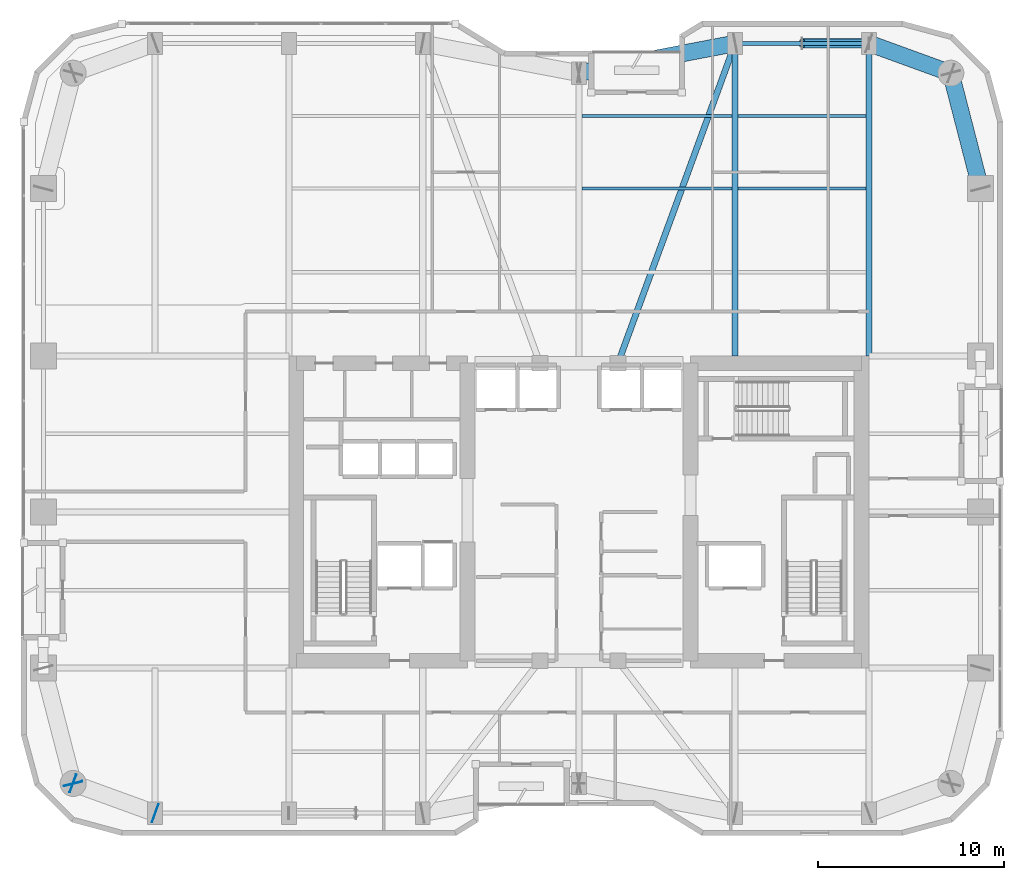
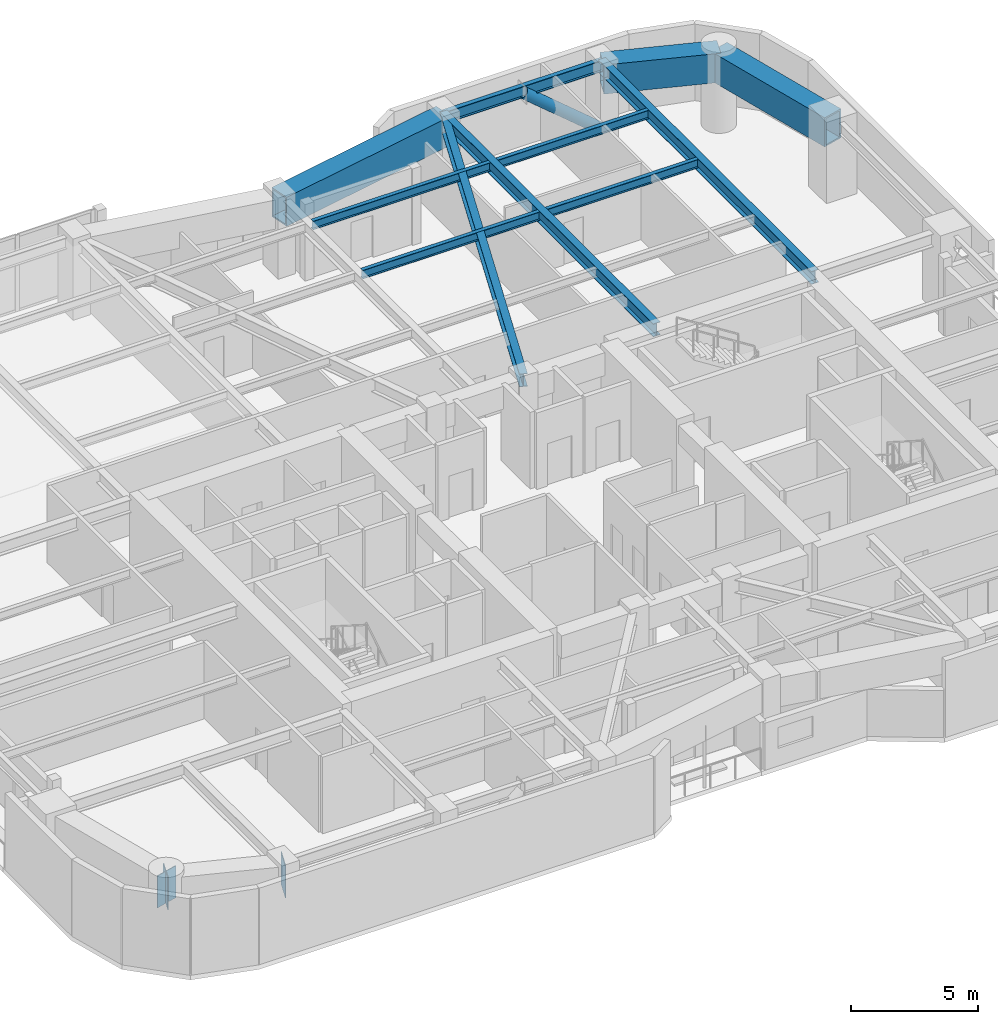
# One storey, part 20 of 31: 11 beams, 3 plates, 1 member.
"""IFC4 building model written with IfcOpenShell, lengths in metres."""

from ifc_helpers import new_model, si_unit, direction, frame, origin, origin_2d, place, context, subcontext, project, spatial, rectangle, hollow_rectangle, hollow_circle, i_section, extrude, material, layer, layer_set, material_profile, profile_set, type_object, element, save


model = new_model("IFC4")

# Units and contexts
model_context = context("Model", 3, precision=1e-05, world=origin(), true_north=direction((0.0, 1.0)))
body_context = subcontext(model_context, "Body", "Model", "MODEL_VIEW")
ifc_project = project(units=[si_unit("LENGTHUNIT", "METRE"), si_unit("AREAUNIT", "SQUARE_METRE"), si_unit("VOLUMEUNIT", "CUBIC_METRE"), si_unit("PLANEANGLEUNIT", "RADIAN"), si_unit("MASSUNIT", "GRAM", prefix="KILO")], contexts=[model_context])

# Site, building, storey
site_placement = place(None, origin())
site = spatial("IfcSite", under=ifc_project, at=site_placement, CompositionType="ELEMENT")
building_placement = place(site_placement, origin())
building = spatial("IfcBuilding", under=site, at=building_placement, Name="Kiyonajd Concourse Tower", CompositionType="ELEMENT")
storey_placement = place(building_placement, frame((0.0, 0.0, 158.39990234375)))
storey = spatial("IfcBuildingStorey", under=building, at=storey_placement, Name="L40", CompositionType="ELEMENT", Elevation=158.39990234375)

# Beams
ifc_material_1 = material(Name="Steel ASTM A992 Grade 50", Category="steel")
ifc_material_profile_1 = material_profile(ifc_material_1, i_section(OverallWidth=0.180908203125, OverallDepth=0.4169921875, WebThickness=0.010986328125, FlangeThickness=0.018310546875, at=origin_2d()), Name="W410X85")
ifc_profile_set_1 = profile_set([ifc_material_profile_1], Name="Steel ASTM A992 Grade 50")
beam_type_1 = type_object("IfcBeamType", Name="BM-JST-410", PredefinedType="JOIST", material=ifc_profile_set_1)
beam_1_placement = place(storey_placement, frame((48.16357421875, 53.39990234375, 3.4716796875), z_axis=(1.0, 0.0, 0.0), x_axis=(0.0, 1.0, 0.0)))
element("IfcBeam", 1, at=beam_1_placement, inside=storey, type_object=beam_type_1, Name="L40 Secondary Floor Joist", PredefinedType="JOIST", context=body_context, shape_type="SweptSolid", body=[
    extrude(i_section(OverallWidth=0.180908203125, OverallDepth=0.4169921875, WebThickness=0.010986328125, FlangeThickness=0.018310546875, at=origin_2d()), origin(), (0.0, 0.0, 1.0), 8.072998046875),
])
beam_2_placement = place(storey_placement, frame((56.5634765625, 53.39990234375, 3.4716796875), z_axis=(1.0, 0.0, 0.0), x_axis=(0.0, 1.0, 0.0)))
element("IfcBeam", 2, at=beam_2_placement, inside=storey, type_object=beam_type_1, Name="L40 Secondary Floor Joist", PredefinedType="JOIST", context=body_context, shape_type="SweptSolid", body=[
    extrude(i_section(OverallWidth=0.180908203125, OverallDepth=0.4169921875, WebThickness=0.010986328125, FlangeThickness=0.018310546875, at=origin_2d()), origin(), (0.0, 0.0, 1.0), 6.873046875),
])
beam_3_placement = place(storey_placement, frame((48.16357421875, 57.300048828125, 3.4716796875), z_axis=(1.0, 0.0, 0.0), x_axis=(0.0, 1.0, 0.0)))
element("IfcBeam", 3, at=beam_3_placement, inside=storey, type_object=beam_type_1, Name="L40 Secondary Floor Joist", PredefinedType="JOIST", context=body_context, shape_type="SweptSolid", body=[
    extrude(i_section(OverallWidth=0.180908203125, OverallDepth=0.4169921875, WebThickness=0.010986328125, FlangeThickness=0.018310546875, at=origin_2d()), origin(), (0.0, 0.0, 1.0), 8.072998046875),
])
beam_4_placement = place(storey_placement, frame((56.5634765625, 57.300048828125, 3.4716796875), z_axis=(1.0, 0.0, 0.0), x_axis=(0.0, 1.0, 0.0)))
element("IfcBeam", 4, at=beam_4_placement, inside=storey, type_object=beam_type_1, Name="L40 Secondary Floor Joist", PredefinedType="JOIST", context=body_context, shape_type="SweptSolid", body=[
    extrude(i_section(OverallWidth=0.180908203125, OverallDepth=0.4169921875, WebThickness=0.010986328125, FlangeThickness=0.018310546875, at=origin_2d()), origin(), (0.0, 0.0, 1.0), 6.873046875),
])
ifc_material_profile_2 = material_profile(ifc_material_1, i_section(OverallWidth=0.214111328125, OverallDepth=0.549072265625, WebThickness=0.0146484375, FlangeThickness=0.023681640625, at=origin_2d()), Name="W530X138")
ifc_profile_set_2 = profile_set([ifc_material_profile_2], Name="Steel ASTM A992 Grade 50")
beam_type_2 = type_object("IfcBeamType", Name="BM-SPAN-530A", PredefinedType="SPANDREL", material=ifc_profile_set_2)
beam_5_placement = place(storey_placement, frame((63.60009765625, 61.199951171875, 3.405517578125), z_axis=(-1.0, 0.0, 0.0), x_axis=(0.0, -1.0, 0.0)))
element("IfcBeam", 5, at=beam_5_placement, inside=storey, type_object=beam_type_2, Name="L40 Perimeter Bundled Tube Spandrel", PredefinedType="SPANDREL", context=body_context, shape_type="SweptSolid", body=[
    extrude(i_section(OverallWidth=0.214111328125, OverallDepth=0.549072265625, WebThickness=0.0146484375, FlangeThickness=0.023681640625, at=origin_2d()), origin(), (0.0, 0.0, 1.0), 7.2001953125),
])
ifc_material_profile_3 = material_profile(ifc_material_1, i_section(OverallWidth=0.326904296875, OverallDepth=0.6220703125, WebThickness=0.015380859375, FlangeThickness=0.0244140625, at=origin_2d()), Name="W610X195")
ifc_profile_set_3 = profile_set([ifc_material_profile_3], Name="Steel ASTM A992 Grade 50")
beam_type_3 = type_object("IfcBeamType", Name="BM-TWR-610A", PredefinedType="BEAM", material=ifc_profile_set_3)
beam_6_placement = place(storey_placement, frame((50.10009765625, 44.0, 3.369140625), z_axis=(0.343925269715, 0.938997022813, 0.0), x_axis=(-0.938997022813, 0.343925269715, 0.0)))
element("IfcBeam", 6, at=beam_6_placement, inside=storey, type_object=beam_type_3, Name="L40 Core Tie Girder", PredefinedType="BEAM", context=body_context, shape_type="SweptSolid", body=[
    extrude(i_section(OverallWidth=0.326904296875, OverallDepth=0.6220703125, WebThickness=0.015380859375, FlangeThickness=0.0244140625, at=origin_2d()), origin(), (0.0, 0.0, 1.0), 18.3173828125),
])
for number, where, z_axis, x_axis, name in (
    (7, (56.39990234375, 44.39990234375, 3.369140625), (0.0, 1.0, 0.0), (-1.0, 0.0, 0.0), "L40 North Lease Girder"),
    (8, (63.60009765625, 44.39990234375, 3.369140625), (0.0, 1.0, 0.0), (-1.0, 0.0, 0.0), "L40 North Lease Girder"),
):
    element("IfcBeam", number, at=place(storey_placement, frame(where, z_axis=z_axis, x_axis=x_axis)), inside=storey, type_object=beam_type_3, Name=name, PredefinedType="BEAM", context=body_context, shape_type="SweptSolid", body=[
        extrude(i_section(OverallWidth=0.326904296875, OverallDepth=0.6220703125, WebThickness=0.015380859375, FlangeThickness=0.0244140625, at=origin_2d()), origin(), (0.0, 0.0, 1.0), 16.800048828125),
    ])
ifc_material_2 = material(Name="Steel ASTM A572 Grade 50", Category="steel")
ifc_material_profile_4 = material_profile(ifc_material_2, hollow_rectangle(XDim=0.89990234375, YDim=1.39990234375, WallThickness=0.070068359375, at=origin_2d()), Name="BOX-1400x900x70")
ifc_profile_set_4 = profile_set([ifc_material_profile_4], Name="Steel ASTM A572 Grade 50")
beam_type_4 = type_object("IfcBeamType", Name="BM-XFER-1400", PredefinedType="BEAM", material=ifc_profile_set_4)
beam_7_placement = place(storey_placement, frame((69.60009765625, 53.39990234375, 2.97998046875), z_axis=(-0.249884937687, 0.968275538221, 0.0), x_axis=(-0.968275538221, -0.249884937687, 0.0)))
element("IfcBeam", 9, at=beam_7_placement, inside=storey, type_object=beam_type_4, Name="L40 Perimeter Bundled Tube Spandrel", PredefinedType="BEAM", context=body_context, shape_type="SweptSolid", body=[
    extrude(hollow_rectangle(XDim=0.89990234375, YDim=1.39990234375, WallThickness=0.070068359375, at=origin_2d()), origin(), (0.0, 0.0, 1.0), 6.4033203125),
])
beam_8_placement = place(storey_placement, frame((68.0, 59.60009765625, 2.97998046875), z_axis=(-0.939801036019, 0.341722127901, 0.0), x_axis=(-0.341722127901, -0.939801036019, 0.0)))
element("IfcBeam", 10, at=beam_8_placement, inside=storey, type_object=beam_type_4, Name="L40 Perimeter Bundled Tube Spandrel", PredefinedType="BEAM", context=body_context, shape_type="SweptSolid", body=[
    extrude(hollow_rectangle(XDim=0.89990234375, YDim=1.39990234375, WallThickness=0.070068359375, at=origin_2d()), origin(), (0.0, 0.0, 1.0), 4.681640625),
])
beam_9_placement = place(storey_placement, frame((56.39990234375, 61.199951171875, 2.97998046875), z_axis=(-0.982341315253, -0.187097675953, 0.0), x_axis=(0.187097675953, -0.982341315253, 0.0)))
element("IfcBeam", 11, at=beam_9_placement, inside=storey, type_object=beam_type_4, Name="L40 Perimeter Bundled Tube Spandrel", PredefinedType="BEAM", context=body_context, shape_type="SweptSolid", body=[
    extrude(hollow_rectangle(XDim=0.89990234375, YDim=1.39990234375, WallThickness=0.070068359375, at=origin_2d()), origin(), (0.0, 0.0, 1.0), 8.55078125),
])

# Member
ifc_material_3 = material(Name="Steel ASTM A500 Grade C", Category="steel")
ifc_material_profile_5 = material_profile(ifc_material_3, hollow_circle(Radius=0.25390625, WallThickness=0.02197265625, at=origin_2d()), Name="CHS-508x22")
ifc_profile_set_5 = profile_set([ifc_material_profile_5], Name="Steel ASTM A500 Grade C")
member_type = type_object("IfcMemberType", Name="MB-PB-MID", PredefinedType="BRACE", material=ifc_profile_set_5)
member_placement = place(storey_placement, frame((63.60009765625, 61.199951171875, 0.300048828125), z_axis=(-0.765082043761, 0.0, 0.643932811957), x_axis=(0.0, -1.0, 0.0)))
element("IfcMember", 12, at=member_placement, inside=storey, type_object=member_type, Name="L40 Upper Zone Hollow Tube Brace PBN", PredefinedType="BRACE", context=body_context, shape_type="SweptSolid", body=[
    extrude(hollow_circle(Radius=0.25390625, WallThickness=0.02197265625, at=origin_2d()), origin(), (0.0, 0.0, 1.0), 4.70556640625),
])

# Plates
ifc_layer = layer(ifc_material_2, 0.031982421875)
ifc_layer_set = layer_set([ifc_layer], Name="Steel ASTM A572 Grade 50")
plate_type = type_object("IfcPlateType", Name="PL-CAP-540", PredefinedType="USERDEFINED", material=ifc_layer_set)
for number, where, z_axis, x_axis, name in (
    (13, (20.802734375, 21.389404296875, 2.2099609375), (0.0, 0.0, 1.0), (0.249873048837, -0.968278606324, 0.0), "L40 Welded Box Girder End Cap"),
    (14, (20.789794921875, 21.40380859375, 2.2099609375), (0.0, 0.0, 1.0), (-0.939811951086, 0.341692107891, 0.0), "L40 Welded Box Girder End Cap"),
    (15, (25.210205078125, 19.796142578125, 2.2099609375), (0.0, 0.0, 1.0), (0.939811951086, -0.341692107891, 0.0), "L40 Welded Box Girder End Cap"),
):
    element("IfcPlate", number, at=place(storey_placement, frame(where, z_axis=z_axis, x_axis=x_axis)), inside=storey, type_object=plate_type, Name=name, ObjectType="CAP PLATE", PredefinedType="USERDEFINED", context=body_context, shape_type="SweptSolid", body=[
        extrude(rectangle(XDim=0.035888671875, YDim=1.02001953125, at=origin_2d()), origin(), (0.0, 0.0, 1.0), 1.5400390625),
    ])

save(model, "model.ifc")
